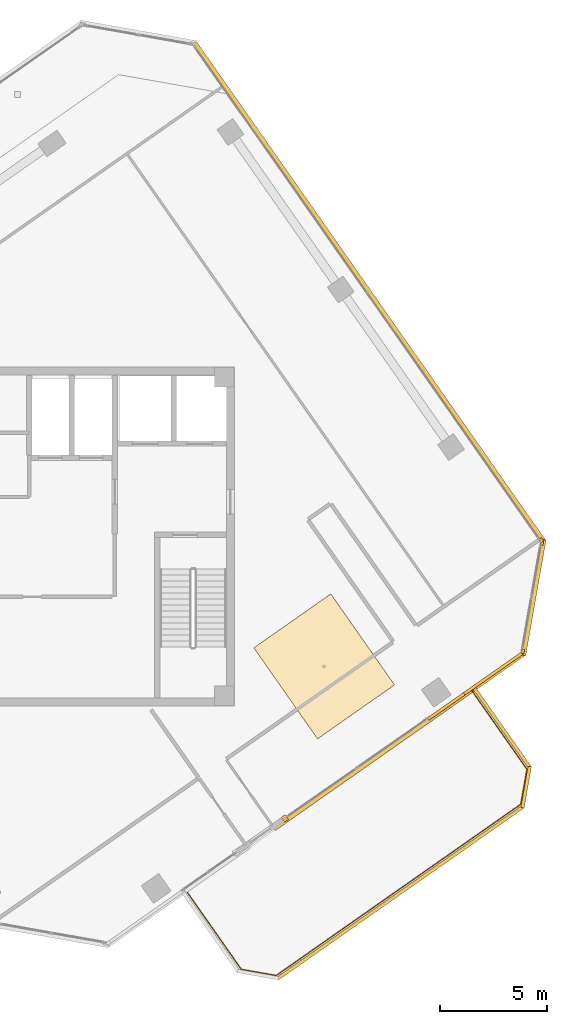
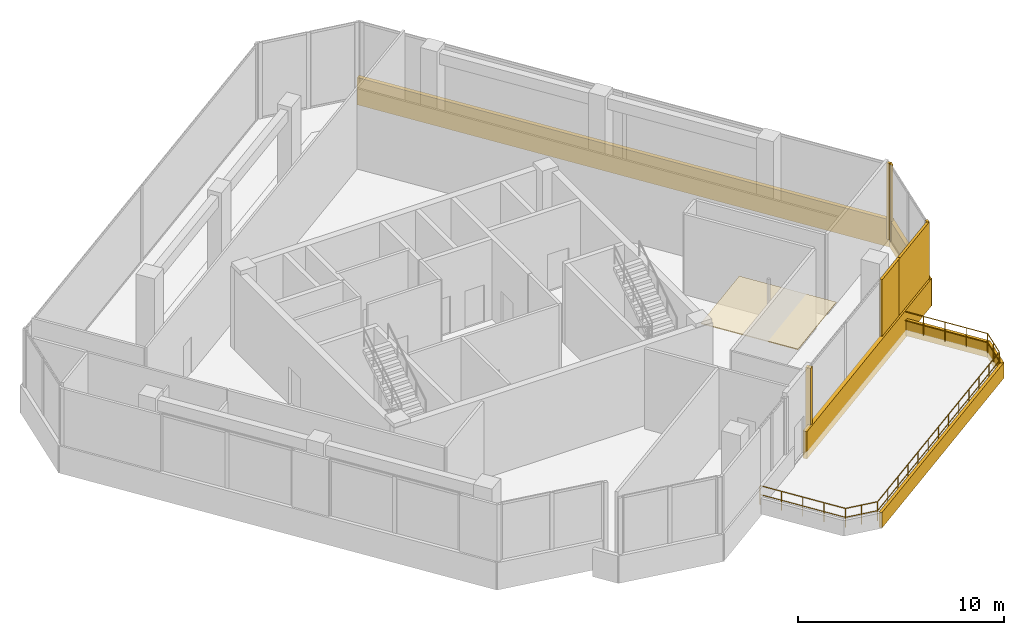
# One storey, part 15 of 16: 13 coverings, 1 railing.
"""IFC4 building model written with IfcOpenShell, lengths in metres."""

import ifcopenshell
import ifcopenshell.guid

model = None  # the IFC model being written
_history = None  # IfcOwnerHistory: only IFC2X3 demands one
_inside = {}  # id of a spatial element -> (the spatial element, [elements in it])
_under = {}  # id of a project, library or spatial element -> (it, [spatial elements below it])
_declared = {}  # id of a project -> (the project, [libraries it declares])
_typed = {}  # id of a type object -> (the type object, [elements of that type])
_made_of = {}  # id of a material, layer set ... -> (it, [elements and type objects made of it])


def new_model(schema):
    """Start an empty IFC model of exactly this schema.

    Asked for "IFC4X3", IfcOpenShell would pick the latest addendum, in which some entities
    have other attributes; the version numbers below select the first issue.
    IFC2X3 requires an IfcOwnerHistory on every rooted entity: one is made here for all.
    """
    global model, _history
    if schema == "IFC4X3":
        model = ifcopenshell.file(schema_version=(4, 3, 0, 0))
    else:
        model = ifcopenshell.file(schema=schema)
    _inside.clear()
    _under.clear()
    _declared.clear()
    _typed.clear()
    _made_of.clear()
    _history = None
    if model.schema == "IFC2X3":
        org = make("IfcOrganization", Name="unknown")
        user = make(
            "IfcPersonAndOrganization",
            ThePerson=make("IfcPerson", FamilyName="unknown"),
            TheOrganization=org,
        )
        app = make(
            "IfcApplication",
            ApplicationDeveloper=org,
            Version="unknown",
            ApplicationFullName="unknown",
            ApplicationIdentifier="unknown",
        )
        _history = make(
            "IfcOwnerHistory",
            OwningUser=user,
            OwningApplication=app,
            ChangeAction="ADDED",
            CreationDate=0,
        )
    return model


def make(cls, **values):
    """One entity of the class cls with the attributes given. An attribute that is None is left unset."""
    return model.create_entity(
        cls, **{name: value for name, value in values.items() if value is not None}
    )


def rooted(cls, **values):
    """An entity with a GlobalId (a new one), such as an element, a storey or a relation."""
    return make(cls, GlobalId=ifcopenshell.guid.new(), OwnerHistory=_history, **values)


def si_unit(unit_type, name, prefix=None):
    """IfcSIUnit, for example si_unit("LENGTHUNIT", "METRE", prefix="MILLI")."""
    return make("IfcSIUnit", UnitType=unit_type, Prefix=prefix, Name=name)


def assignment(units):
    """IfcUnitAssignment: the units of a project."""
    return None if units is None else make("IfcUnitAssignment", Units=units)


def point(xyz):
    """IfcCartesianPoint."""
    return None if xyz is None else make("IfcCartesianPoint", Coordinates=xyz)


def direction(xyz):
    """IfcDirection."""
    return None if xyz is None else make("IfcDirection", DirectionRatios=xyz)


def frame(location, z_axis=None, x_axis=None):
    """IfcAxis2Placement3D, a coordinate frame: its origin and axes. An axis left out is left unset."""
    return make(
        "IfcAxis2Placement3D",
        Location=point(location),
        Axis=direction(z_axis),
        RefDirection=direction(x_axis),
    )


def frame_2d(location, x_axis=None):
    """IfcAxis2Placement2D, a coordinate frame in the plane: its origin and x axis."""
    return make(
        "IfcAxis2Placement2D", Location=point(location), RefDirection=direction(x_axis)
    )


def origin():
    """The frame at (0, 0, 0) with its axes left unset."""
    return frame((0.0, 0.0, 0.0))


def origin_2d():
    """The frame at (0, 0) in the plane with its x axis left unset."""
    return frame_2d((0.0, 0.0))


def place(relative_to, where):
    """IfcLocalPlacement: puts the frame where relative to a parent placement (None: the world)."""
    return make(
        "IfcLocalPlacement", PlacementRelTo=relative_to, RelativePlacement=where
    )


def context(
    kind, dimensions, precision=None, world=None, true_north=None, identifier=None
):
    """IfcGeometricRepresentationContext, for example the 3D "Model" context."""
    return make(
        "IfcGeometricRepresentationContext",
        ContextIdentifier=identifier,
        ContextType=kind,
        CoordinateSpaceDimension=dimensions,
        Precision=precision,
        WorldCoordinateSystem=world,
        TrueNorth=true_north,
    )


def subcontext(parent, identifier, kind, view, scale=None):
    """IfcGeometricRepresentationSubContext, for example "Body" below "Model"."""
    return make(
        "IfcGeometricRepresentationSubContext",
        ContextIdentifier=identifier,
        ContextType=kind,
        ParentContext=parent,
        TargetScale=scale,
        TargetView=view,
    )


def project(units=None, contexts=None):
    """IfcProject with its units and contexts."""
    return rooted(
        "IfcProject",
        Name="project",
        RepresentationContexts=contexts,
        UnitsInContext=assignment(units),
    )


def spatial(cls, under=None, at=None, **own):
    """A site, building, storey or space (cls), placed at a placement, below another one or the project."""
    s = rooted(cls, ObjectPlacement=at, **own)
    if under is not None:
        _under.setdefault(under.id(), (under, []))[1].append(s)
    return s


def polyline(points):
    """IfcPolyline through the points."""
    return make("IfcPolyline", Points=[point(p) for p in points])


def profile(cls, at=None, kind="AREA", **sizes):
    """A parametric profile (cls). Its sizes go by their IFC names, for example OverallWidth=200.0."""
    return make(cls, ProfileType=kind, Position=at, **sizes)


def rectangle(**sizes):
    """IfcRectangleProfileDef."""
    return profile("IfcRectangleProfileDef", **sizes)


def circle(**sizes):
    """IfcCircleProfileDef."""
    return profile("IfcCircleProfileDef", **sizes)


def outline(outer, holes=None, kind="AREA"):
    """IfcArbitraryClosedProfileDef: a profile drawn as a closed curve; with holes, ...WithVoids."""
    if holes is None:
        return make("IfcArbitraryClosedProfileDef", ProfileType=kind, OuterCurve=outer)
    return make(
        "IfcArbitraryProfileDefWithVoids",
        ProfileType=kind,
        OuterCurve=outer,
        InnerCurves=holes,
    )


def extrude(swept, where, along, depth):
    """IfcExtrudedAreaSolid: the profile swept, set in the frame where, extruded along a direction by depth."""
    return make(
        "IfcExtrudedAreaSolid",
        SweptArea=swept,
        Position=where,
        ExtrudedDirection=direction(along),
        Depth=depth,
    )


def shape(context_of_items, identifier, shape_type, items):
    """IfcShapeRepresentation: the items that make up one representation, for example the "Body"."""
    return make(
        "IfcShapeRepresentation",
        ContextOfItems=context_of_items,
        RepresentationIdentifier=identifier,
        RepresentationType=shape_type,
        Items=items,
    )


def source(mapping_origin, context_of_items, identifier, shape_type, items):
    """IfcRepresentationMap: a shape defined once, which mapped items show again and again."""
    return make(
        "IfcRepresentationMap",
        MappingOrigin=mapping_origin,
        MappedRepresentation=shape(context_of_items, identifier, shape_type, items),
    )


def transform(
    local_origin,
    x_axis=None,
    y_axis=None,
    z_axis=None,
    scale=None,
    scale2=None,
    scale3=None,
    uniform=True,
):
    """IfcCartesianTransformationOperator3D, or its non-uniform kind. x_axis, y_axis, z_axis: its Axis1, 2, 3."""
    if uniform:
        return make(
            "IfcCartesianTransformationOperator3D",
            Axis1=direction(x_axis),
            Axis2=direction(y_axis),
            LocalOrigin=point(local_origin),
            Scale=scale,
            Axis3=direction(z_axis),
        )
    return make(
        "IfcCartesianTransformationOperator3DnonUniform",
        Axis1=direction(x_axis),
        Axis2=direction(y_axis),
        LocalOrigin=point(local_origin),
        Scale=scale,
        Axis3=direction(z_axis),
        Scale2=scale2,
        Scale3=scale3,
    )


def mapped(mapping_source, mapping_target):
    """IfcMappedItem: shows the shape of a source again, moved by a transform."""
    return make(
        "IfcMappedItem", MappingSource=mapping_source, MappingTarget=mapping_target
    )


def material(Name=None, Category=None):
    """IfcMaterial."""
    return make("IfcMaterial", Name=Name, Category=Category)


def layer(
    of_material, thickness, ventilated=None, Name=None, Category=None, Priority=None
):
    """IfcMaterialLayer: one layer of a wall or slab, of a material (None: an air gap)."""
    return make(
        "IfcMaterialLayer",
        Material=of_material,
        LayerThickness=thickness,
        IsVentilated=ventilated,
        Name=Name,
        Category=Category,
        Priority=Priority,
    )


def layer_set(layers, Name=None):
    """IfcMaterialLayerSet."""
    return make("IfcMaterialLayerSet", MaterialLayers=layers, LayerSetName=Name)


def made_of(thing, what):
    """Note that an element or type object is made of a material, layer set ...; save() writes the relation."""
    if what is not None:
        _made_of.setdefault(what.id(), (what, []))[1].append(thing)
    return thing


def type_object(cls, material=None, **own):
    """A type object (cls), such as IfcWallType, which elements share."""
    return made_of(rooted(cls, **own), material)


def element(
    cls,
    number,
    at=None,
    inside=None,
    cuts=None,
    type_object=None,
    material=None,
    context=None,
    identifier="Body",
    shape_type=None,
    held_by="IfcProductDefinitionShape",
    body=None,
    shapes=None,
    **own,
):
    """One element of the class cls, such as IfcWall. Its Tag is "e" and its number.

    at: its placement. inside: the storey or other place that contains it. cuts: it is an
    opening in that element (IfcRelVoidsElement). A single representation is given by context,
    identifier, shape_type and body (its items); several are given by shapes. held_by: the class
    of the entity that holds the representations. save() writes the other relations.
    """
    e = rooted(cls, Tag="e%d" % number, ObjectPlacement=at, **own)
    if body is not None:
        shapes = [shape(context, identifier, shape_type, body)]
    if shapes is not None:
        e.Representation = make(held_by, Representations=shapes)
    if inside is not None:
        _inside.setdefault(inside.id(), (inside, []))[1].append(e)
    if cuts is not None:
        rooted(
            "IfcRelVoidsElement", RelatingBuildingElement=cuts, RelatedOpeningElement=e
        )
    if type_object is not None:
        _typed.setdefault(type_object.id(), (type_object, []))[1].append(e)
    return made_of(e, material)


def aggregate(whole, parts):
    """IfcRelAggregates: a whole, such as a stair, and the parts it consists of."""
    return rooted("IfcRelAggregates", RelatingObject=whole, RelatedObjects=parts)


def save(model, path):
    """Write the relations noted so far, then the file.

    IfcRelAggregates (storeys below a building ...), IfcRelContainedInSpatialStructure (elements
    in a storey), IfcRelDefinesByType, IfcRelAssociatesMaterial and IfcRelDeclares: one each for
    every whole, place, type object, material and project.
    """
    for whole, parts in _under.values():
        aggregate(whole, parts)
    for where, things in _inside.values():
        rooted(
            "IfcRelContainedInSpatialStructure",
            RelatedElements=things,
            RelatingStructure=where,
        )
    for kind, things in _typed.values():
        rooted("IfcRelDefinesByType", RelatedObjects=things, RelatingType=kind)
    for what, things in _made_of.values():
        rooted("IfcRelAssociatesMaterial", RelatedObjects=things, RelatingMaterial=what)
    for by, libraries in _declared.values():
        rooted("IfcRelDeclares", RelatingContext=by, RelatedDefinitions=libraries)
    model.write(path)


model = new_model("IFC4")

# Units and contexts
model_context = context("Model", 3, precision=1e-05, world=origin(), true_north=direction((0.0, 1.0)))
body_context = subcontext(model_context, "Body", "Model", "MODEL_VIEW")
ifc_project = project(units=[si_unit("LENGTHUNIT", "METRE"), si_unit("AREAUNIT", "SQUARE_METRE"), si_unit("VOLUMEUNIT", "CUBIC_METRE"), si_unit("PLANEANGLEUNIT", "RADIAN"), si_unit("MASSUNIT", "GRAM", prefix="KILO")], contexts=[model_context])

# Site, building, storey
site_placement = place(None, origin())
site = spatial("IfcSite", under=ifc_project, at=site_placement, CompositionType="ELEMENT")
building_placement = place(site_placement, origin())
building = spatial("IfcBuilding", under=site, at=building_placement, Name="Torre Montelarca", CompositionType="ELEMENT")
storey_placement = place(building_placement, frame((0.0, 0.0, 293.800048828125)))
storey = spatial("IfcBuildingStorey", under=building, at=storey_placement, Name="L66", CompositionType="ELEMENT", Elevation=293.800048828125)

# Covering
ifc_material_1 = material(Name="Micro-perforated walnut timber acoustic slat", Category="wood")
ifc_layer_1 = layer(ifc_material_1, 0.050048828125, Name="Micro-perforated walnut timber acoustic slat", Category="wood")
ifc_layer_set_1 = layer_set([ifc_layer_1], Name="Micro-perforated walnut timber acoustic slat")
covering_type_1 = type_object("IfcCoveringType", Name="COV-CEIL-WD2", PredefinedType="CEILING", material=ifc_layer_set_1)
covering_1_placement = place(storey_placement, frame((0.0, 0.0, 2.719970703125)))
element("IfcCovering", 1, at=covering_1_placement, inside=storey, type_object=covering_type_1, Name="L66 Acoustic Suspended Ceiling 01", PredefinedType="CEILING", context=body_context, shape_type="SweptSolid", body=[
    extrude(outline(polyline([(27.83349609375, 26.79052734375), (30.81591796875, 22.531005859375), (34.42041015625, 25.0546875), (31.437744140625, 29.314208984375), (27.83349609375, 26.79052734375)])), origin(), (0.0, 0.0, 1.0), 0.050048828125),
])

# Railing
ifc_material_2 = material(Name="Stainless steel AISI 316 and laminated glass", Category="steel")
railing_type = type_object("IfcRailingType", Name="RL-EXT-GUARD-1150", PredefinedType="BALUSTRADE", material=ifc_material_2)
railing_placement = place(storey_placement, frame((24.626953125, 15.4873046875, 0.0)))
element("IfcRailing", 2, at=railing_placement, inside=storey, type_object=railing_type, Name="L66 Outdoor Terrace Balustrade Guard RL-L66-TER-01", PredefinedType="BALUSTRADE", context=body_context, shape_type="SweptSolid", body=[
    extrude(circle(Radius=0.02392578125, at=origin_2d()), frame((0.0, 0.0, 1.1259765625), z_axis=(0.573552027378, -0.819169135094, 0.0), x_axis=(0.819169135094, 0.573552027378, 0.0)), (0.0, 0.0, 1.0), 4.5673828125),
    extrude(circle(Radius=0.02099609375, at=origin_2d()), frame((0.0, 0.0, 0.597900390625), z_axis=(0.573552027378, -0.819169135094, 0.0), x_axis=(0.819169135094, 0.573552027378, 0.0)), (0.0, 0.0, 1.0), 4.5673828125),
    extrude(circle(Radius=0.02392578125, at=origin_2d()), frame((2.61962890625, -3.741455078125, 1.1259765625), z_axis=(0.98482354571, -0.173558588997, 0.0), x_axis=(0.173558588997, 0.98482354571, 0.0)), (0.0, 0.0, 1.0), 1.658447265625),
    extrude(circle(Radius=0.02099609375, at=origin_2d()), frame((2.61962890625, -3.741455078125, 0.597900390625), z_axis=(0.98482354571, -0.173558588997, 0.0), x_axis=(0.173558588997, 0.98482354571, 0.0)), (0.0, 0.0, 1.0), 1.658447265625),
    extrude(circle(Radius=0.02392578125, at=origin_2d()), frame((4.2529296875, -4.029296875, 1.1259765625), z_axis=(0.819154761693, 0.573572555476, 0.0), x_axis=(-0.573572555476, 0.819154761693, 0.0)), (0.0, 0.0, 1.0), 13.974365234375),
    extrude(circle(Radius=0.02099609375, at=origin_2d()), frame((4.2529296875, -4.029296875, 0.597900390625), z_axis=(0.819154761693, 0.573572555476, 0.0), x_axis=(-0.573572555476, 0.819154761693, 0.0)), (0.0, 0.0, 1.0), 13.974365234375),
    extrude(circle(Radius=0.02392578125, at=origin_2d()), frame((15.7001953125, 3.986083984375, 1.1259765625), z_axis=(0.173558588997, 0.98482354571, 0.0), x_axis=(-0.98482354571, 0.173558588997, 0.0)), (0.0, 0.0, 1.0), 1.658447265625),
    extrude(circle(Radius=0.02099609375, at=origin_2d()), frame((15.7001953125, 3.986083984375, 0.597900390625), z_axis=(0.173558588997, 0.98482354571, 0.0), x_axis=(-0.98482354571, 0.173558588997, 0.0)), (0.0, 0.0, 1.0), 1.658447265625),
    extrude(circle(Radius=0.02392578125, at=origin_2d()), frame((15.988037109375, 5.619384765625, 1.1259765625), z_axis=(-0.573577142416, 0.819151549896, 0.0), x_axis=(-0.819151549896, -0.573577142416, 0.0)), (0.0, 0.0, 1.0), 4.567138671875),
    extrude(circle(Radius=0.02099609375, at=origin_2d()), frame((15.988037109375, 5.619384765625, 0.597900390625), z_axis=(-0.573577142416, 0.819151549896, 0.0), x_axis=(-0.819151549896, -0.573577142416, 0.0)), (0.0, 0.0, 1.0), 4.567138671875),
    extrude(circle(Radius=0.02099609375, at=origin_2d()), origin(), (0.0, 0.0, 1.0), 1.101806640625),
    extrude(circle(Radius=0.02099609375, at=origin_2d()), frame((0.65478515625, -0.935302734375, 0.0)), (0.0, 0.0, 1.0), 1.101806640625),
    extrude(circle(Radius=0.02099609375, at=origin_2d()), frame((1.309814453125, -1.87060546875, 0.0)), (0.0, 0.0, 1.0), 1.101806640625),
    extrude(circle(Radius=0.02099609375, at=origin_2d()), frame((1.96484375, -2.80615234375, 0.0)), (0.0, 0.0, 1.0), 1.101806640625),
    extrude(circle(Radius=0.02099609375, at=origin_2d()), frame((2.61962890625, -3.741455078125, 0.0)), (0.0, 0.0, 1.0), 1.101806640625),
    extrude(circle(Radius=0.02099609375, at=origin_2d()), frame((3.436279296875, -3.88525390625, 0.0)), (0.0, 0.0, 1.0), 1.101806640625),
    extrude(circle(Radius=0.02099609375, at=origin_2d()), frame((4.2529296875, -4.029296875, 0.0)), (0.0, 0.0, 1.0), 1.101806640625),
    extrude(circle(Radius=0.02099609375, at=origin_2d()), frame((5.206787109375, -3.361328125, 0.0)), (0.0, 0.0, 1.0), 1.101806640625),
    extrude(circle(Radius=0.02099609375, at=origin_2d()), frame((6.160888671875, -2.693359375, 0.0)), (0.0, 0.0, 1.0), 1.101806640625),
    extrude(circle(Radius=0.02099609375, at=origin_2d()), frame((7.11474609375, -2.025390625, 0.0)), (0.0, 0.0, 1.0), 1.101806640625),
    extrude(circle(Radius=0.02099609375, at=origin_2d()), frame((8.068603515625, -1.357421875, 0.0)), (0.0, 0.0, 1.0), 1.101806640625),
    extrude(circle(Radius=0.02099609375, at=origin_2d()), frame((9.022705078125, -0.689453125, 0.0)), (0.0, 0.0, 1.0), 1.101806640625),
    extrude(circle(Radius=0.02099609375, at=origin_2d()), frame((9.9765625, -0.021484375, 0.0)), (0.0, 0.0, 1.0), 1.101806640625),
    extrude(circle(Radius=0.02099609375, at=origin_2d()), frame((10.930419921875, 0.646240234375, 0.0)), (0.0, 0.0, 1.0), 1.101806640625),
    extrude(circle(Radius=0.02099609375, at=origin_2d()), frame((11.884521484375, 1.314208984375, 0.0)), (0.0, 0.0, 1.0), 1.101806640625),
    extrude(circle(Radius=0.02099609375, at=origin_2d()), frame((12.83837890625, 1.982177734375, 0.0)), (0.0, 0.0, 1.0), 1.101806640625),
    extrude(circle(Radius=0.02099609375, at=origin_2d()), frame((13.792236328125, 2.650146484375, 0.0)), (0.0, 0.0, 1.0), 1.101806640625),
    extrude(circle(Radius=0.02099609375, at=origin_2d()), frame((14.746337890625, 3.318115234375, 0.0)), (0.0, 0.0, 1.0), 1.101806640625),
    extrude(circle(Radius=0.02099609375, at=origin_2d()), frame((15.7001953125, 3.986083984375, 0.0)), (0.0, 0.0, 1.0), 1.101806640625),
    extrude(circle(Radius=0.02099609375, at=origin_2d()), frame((15.84423828125, 4.802734375, 0.0)), (0.0, 0.0, 1.0), 1.101806640625),
    extrude(circle(Radius=0.02099609375, at=origin_2d()), frame((15.988037109375, 5.619384765625, 0.0)), (0.0, 0.0, 1.0), 1.101806640625),
    extrude(circle(Radius=0.02099609375, at=origin_2d()), frame((15.3330078125, 6.5546875, 0.0)), (0.0, 0.0, 1.0), 1.101806640625),
    extrude(circle(Radius=0.02099609375, at=origin_2d()), frame((14.67822265625, 7.489990234375, 0.0)), (0.0, 0.0, 1.0), 1.101806640625),
    extrude(circle(Radius=0.02099609375, at=origin_2d()), frame((14.0234375, 8.42529296875, 0.0)), (0.0, 0.0, 1.0), 1.101806640625),
    extrude(circle(Radius=0.02099609375, at=origin_2d()), frame((13.368408203125, 9.360595703125, 0.0)), (0.0, 0.0, 1.0), 1.101806640625),
])

# Coverings
ifc_material_3 = material(Name="Bush-hammered warm white precast concrete C45/55", Category="concrete")
ifc_layer_2 = layer(ifc_material_3, 0.139892578125, Name="Bush-hammered warm white precast concrete C45/55", Category="concrete")
ifc_layer_set_2 = layer_set([ifc_layer_2], Name="Bush-hammered warm white precast concrete C45/55")
covering_type_2 = type_object("IfcCoveringType", Name="COV-TRAY-CLAD", PredefinedType="CLADDING", material=ifc_layer_set_2)
shared_shape_1 = source(origin(), body_context, "Body", "SweptSolid", [
    extrude(rectangle(XDim=4.530029296875, YDim=0.159912109375, at=origin_2d()), origin(), (0.0, 0.0, 1.0), 0.919921875),
])
covering_2_placement = place(storey_placement, frame((39.4599609375, 23.03515625, -0.360107421875), z_axis=(0.0, 0.0, 1.0), x_axis=(-0.573560709655, 0.819163056015, 0.0)))
element("IfcCovering", 3, at=covering_2_placement, inside=storey, type_object=covering_type_2, Name="L66 Architectural White Spandrel Tray Band TERBND1-05", PredefinedType="CLADDING", context=body_context, shape_type="MappedRepresentation", body=[
    mapped(shared_shape_1, transform((0.0, 0.0, 0.0), scale=1.0)),
])
shared_shape_2 = source(origin(), body_context, "Body", "SweptSolid", [
    extrude(rectangle(XDim=1.95849609375, YDim=0.159912109375, at=origin_2d()), origin(), (0.0, 0.0, 1.0), 0.919921875),
])
covering_3_placement = place(storey_placement, frame((40.57666015625, 20.271484375, -0.360107421875), z_axis=(0.0, 0.0, 1.0), x_axis=(0.173627551863, 0.984811389675, 0.0)))
element("IfcCovering", 4, at=covering_3_placement, inside=storey, type_object=covering_type_2, Name="L66 Architectural White Spandrel Tray Band TERBND1-04", PredefinedType="CLADDING", context=body_context, shape_type="MappedRepresentation", body=[
    mapped(shared_shape_2, transform((0.0, 0.0, 0.0), scale=1.0)),
])
shared_shape_3 = source(origin(), body_context, "Body", "SweptSolid", [
    extrude(rectangle(XDim=14.02001953125, YDim=0.159912109375, at=origin_2d()), origin(), (0.0, 0.0, 1.0), 0.919921875),
])
covering_4_placement = place(storey_placement, frame((34.6953125, 15.334716796875, -0.360107421875), z_axis=(0.0, 0.0, 1.0), x_axis=(0.819149041039, 0.573580725413, 0.0)))
element("IfcCovering", 5, at=covering_4_placement, inside=storey, type_object=covering_type_2, Name="L66 Architectural White Spandrel Tray Band TERBND1-03", PredefinedType="CLADDING", context=body_context, shape_type="MappedRepresentation", body=[
    mapped(shared_shape_3, transform((0.0, 0.0, 0.0), scale=1.0)),
])
shared_shape_4 = source(origin(), body_context, "Body", "SweptSolid", [
    extrude(rectangle(XDim=0.199951171875, YDim=0.139892578125, at=origin_2d()), origin(), (0.0, 0.0, 1.0), 4.52001953125),
])
for number, where, z_axis, x_axis, name in (
    (6, (40.422119140625, 26.627197265625, 0.0), (0.0, 0.0, 1.0), (0.173625833043, 0.984811692711, 0.0), "L66 Architectural Column Pier Cladding E07-1"),
    (7, (41.31494140625, 31.69140625, 0.0), (0.0, 0.0, 1.0), (0.173625833043, 0.984811692711, 0.0), "L66 Architectural Column Pier Cladding E07-2"),
    (8, (41.283447265625, 31.8330078125, 0.0), (0.0, 0.0, 1.0), (-0.573573576968, 0.819154046443, 0.0), "L66 Architectural Column Pier Cladding E08-1"),
):
    element("IfcCovering", number, at=place(storey_placement, frame(where, z_axis=z_axis, x_axis=x_axis)), inside=storey, type_object=covering_type_2, Name=name, PredefinedType="CLADDING", context=body_context, shape_type="MappedRepresentation", body=[
        mapped(shared_shape_4, transform((0.0, 0.0, 0.0), scale=1.0)),
    ])
shared_shape_5 = source(origin(), body_context, "Body", "SweptSolid", [
    extrude(rectangle(XDim=0.219970703125, YDim=0.280029296875, at=origin_2d()), origin(), (0.0, 0.0, 1.0), 4.52001953125),
])
covering_5_placement = place(storey_placement, frame((29.288330078125, 18.812255859375, 0.0), z_axis=(0.0, 0.0, 1.0), x_axis=(0.819156048588, 0.573570717577, 0.0)))
element("IfcCovering", 9, at=covering_5_placement, inside=storey, type_object=covering_type_2, Name="L66 Terrace Portal Jamb Closure Mullion E06-B", PredefinedType="CLADDING", context=body_context, shape_type="MappedRepresentation", body=[
    mapped(shared_shape_5, transform((0.0, 0.0, 0.0), scale=1.0)),
])
shared_shape_6 = source(origin(), body_context, "Body", "SweptSolid", [
    extrude(rectangle(XDim=2.06005859375, YDim=0.139892578125, at=origin_2d()), origin(), (0.0, 0.0, 1.0), 4.52001953125),
])
covering_6_placement = place(storey_placement, frame((36.834716796875, 24.04736328125, 0.0), z_axis=(0.0, 0.0, 1.0), x_axis=(0.819156048588, 0.573570717577, 0.0)))
element("IfcCovering", 10, at=covering_6_placement, inside=storey, type_object=covering_type_2, Name="L66 Architectural Column Pier Cladding E06-3", PredefinedType="CLADDING", context=body_context, shape_type="MappedRepresentation", body=[
    mapped(shared_shape_6, transform((0.0, 0.0, 0.0), scale=1.0)),
])
shared_shape_7 = source(origin(), body_context, "Body", "SweptSolid", [
    extrude(rectangle(XDim=3.4541015625, YDim=0.139892578125, at=origin_2d()), origin(), (0.0, 0.0, 1.0), 4.52001953125),
])
covering_7_placement = place(storey_placement, frame((39.01123046875, 25.5712890625, 0.0), z_axis=(0.0, 0.0, 1.0), x_axis=(0.819156048588, 0.573570717577, 0.0)))
element("IfcCovering", 11, at=covering_7_placement, inside=storey, type_object=covering_type_2, Name="L66 Architectural Column Pier Cladding E06-4", PredefinedType="CLADDING", context=body_context, shape_type="MappedRepresentation", body=[
    mapped(shared_shape_7, transform((0.0, 0.0, 0.0), scale=1.0)),
])
shared_shape_8 = source(origin(), body_context, "Body", "SweptSolid", [
    extrude(rectangle(XDim=5.493896484375, YDim=0.219970703125, at=origin_2d()), origin(), (0.0, 0.0, 1.0), 1.6201171875),
])
covering_8_placement = place(storey_placement, frame((40.927490234375, 29.148681640625, -0.4501953125), z_axis=(0.0, 0.0, 1.0), x_axis=(0.173630989503, 0.984810783595, 0.0)))
element("IfcCovering", 12, at=covering_8_placement, inside=storey, type_object=covering_type_2, Name="L66 Architectural White Spandrel Tray Band TRYBOT-07", PredefinedType="CLADDING", context=body_context, shape_type="MappedRepresentation", body=[
    mapped(shared_shape_8, transform((0.0, 0.0, 0.0), scale=1.0)),
])
shared_shape_9 = source(origin(), body_context, "Body", "SweptSolid", [
    extrude(rectangle(XDim=14.343994140625, YDim=0.219970703125, at=origin_2d()), origin(), (0.0, 0.0, 1.0), 1.6201171875),
])
covering_9_placement = place(storey_placement, frame((34.6474609375, 22.442626953125, -0.4501953125), z_axis=(0.0, 0.0, 1.0), x_axis=(0.819154046443, 0.573573576968, 0.0)))
element("IfcCovering", 13, at=covering_9_placement, inside=storey, type_object=covering_type_2, Name="L66 Architectural White Spandrel Tray Band TRYBOT-06B", PredefinedType="CLADDING", context=body_context, shape_type="MappedRepresentation", body=[
    mapped(shared_shape_9, transform((0.0, 0.0, 0.0), scale=1.0)),
])
shared_shape_10 = source(origin(), body_context, "Body", "SweptSolid", [
    extrude(rectangle(XDim=28.6201171875, YDim=0.219970703125, at=origin_2d()), origin(), (0.0, 0.0, 1.0), 1.6201171875),
])
covering_10_placement = place(storey_placement, frame((33.2255859375, 43.445556640625, -0.4501953125), z_axis=(0.0, 0.0, 1.0), x_axis=(-0.573576436351, 0.819152044289, 0.0)))
element("IfcCovering", 14, at=covering_10_placement, inside=storey, type_object=covering_type_2, Name="L66 Architectural White Spandrel Tray Band TRYBOT-08", PredefinedType="CLADDING", context=body_context, shape_type="MappedRepresentation", body=[
    mapped(shared_shape_10, transform((0.0, 0.0, 0.0), scale=1.0)),
])

save(model, "model.ifc")
